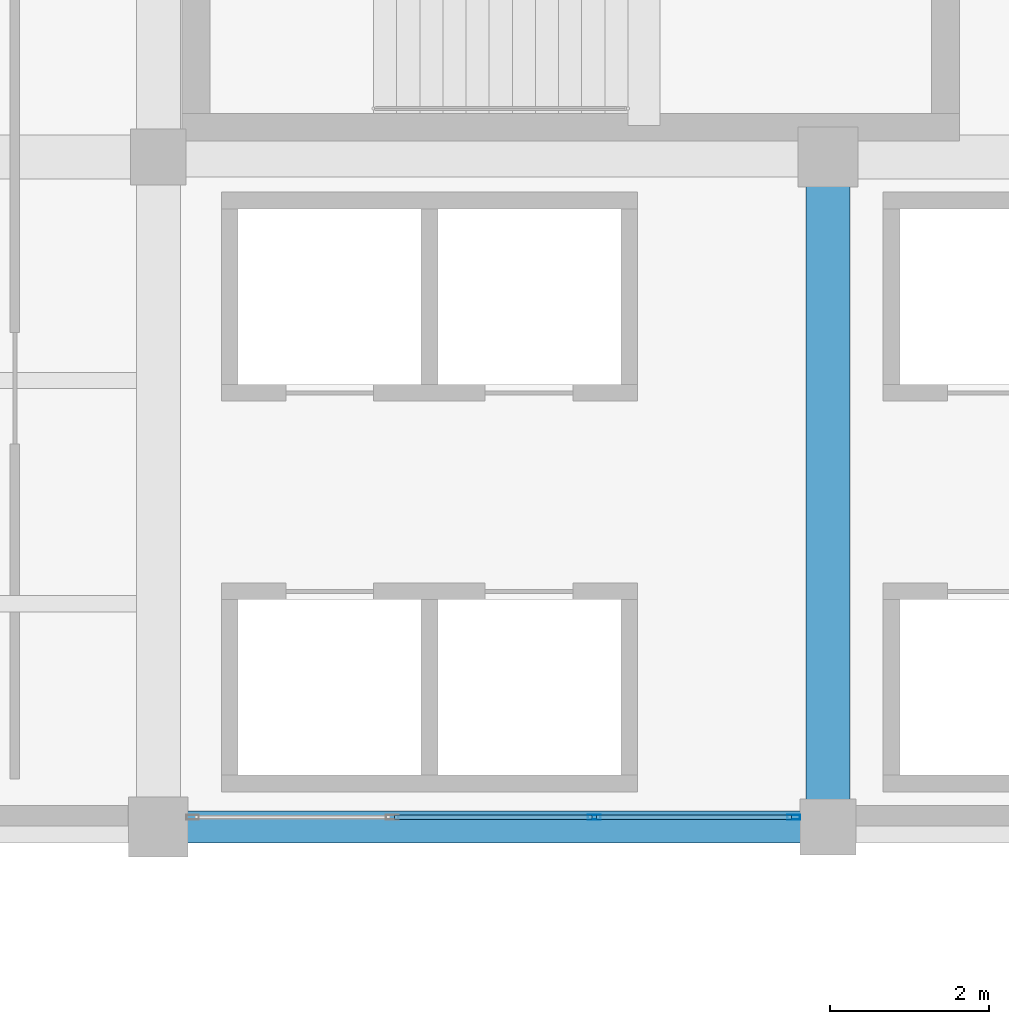
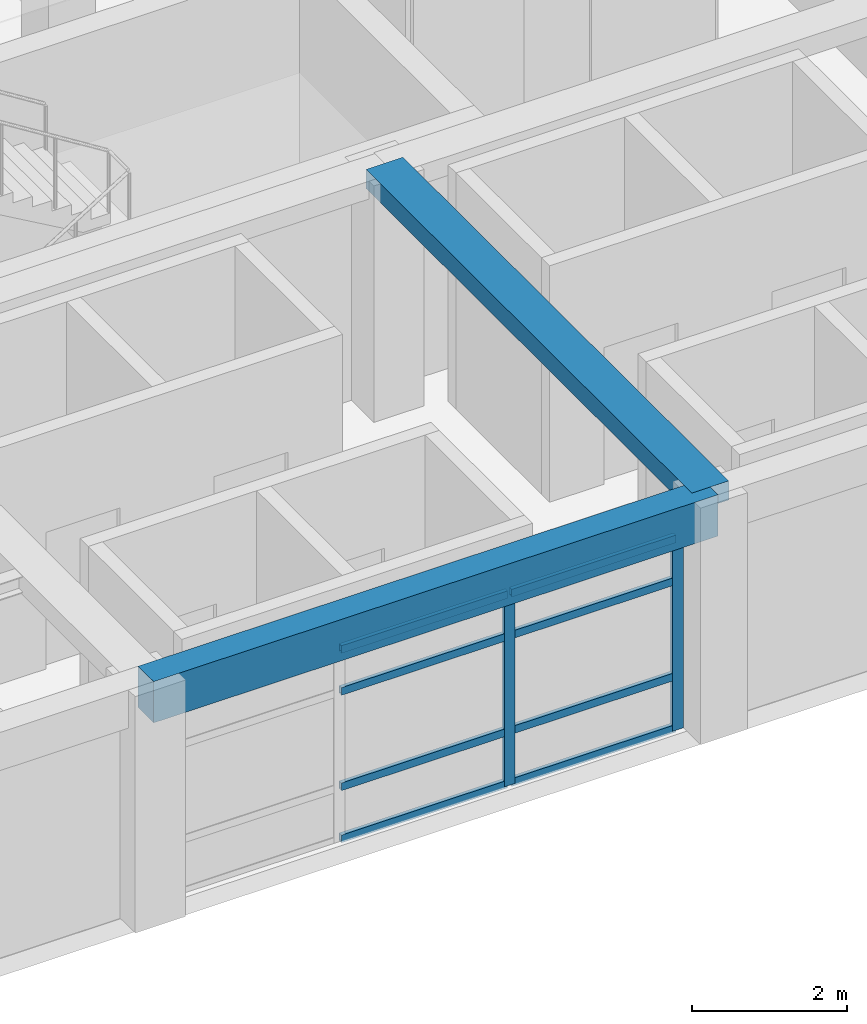
# One storey, part 8 of 35: 10 members, 2 beams, 1 element without a shape of its own.
"""IFC4 building model written with IfcOpenShell, lengths in metres."""

from ifc_helpers import new_model, si_unit, direction, frame, origin, origin_2d, place, context, subcontext, project, spatial, rectangle, hollow_rectangle, extrude, material, material_profile, profile_set, type_object, element, aggregate, save


model = new_model("IFC4")

# Units and contexts
model_context = context("Model", 3, precision=1e-05, world=origin(), true_north=direction((0.0, 1.0)))
body_context = subcontext(model_context, "Body", "Model", "MODEL_VIEW")
ifc_project = project(units=[si_unit("LENGTHUNIT", "METRE"), si_unit("AREAUNIT", "SQUARE_METRE"), si_unit("VOLUMEUNIT", "CUBIC_METRE"), si_unit("PLANEANGLEUNIT", "RADIAN"), si_unit("MASSUNIT", "GRAM", prefix="KILO")], contexts=[model_context])

# Site, building, storey
site_placement = place(None, origin())
site = spatial("IfcSite", under=ifc_project, at=site_placement, CompositionType="ELEMENT")
building_placement = place(site_placement, origin())
building = spatial("IfcBuilding", under=site, at=building_placement, Name="Almacenes y Pasaje Nevantli", CompositionType="ELEMENT")
storey_placement = place(building_placement, frame((0.0, 0.0, 26.699951171875)))
storey = spatial("IfcBuildingStorey", under=building, at=storey_placement, Name="L06", CompositionType="ELEMENT", Elevation=26.699951171875)

# Beams
ifc_material_1 = material(Name="Concrete C35/45", Category="concrete")
ifc_material_profile_1 = material_profile(ifc_material_1, rectangle(XDim=0.39990234375, YDim=0.64990234375, at=origin_2d()), Name="RC-BM-400x650")
ifc_profile_set_1 = profile_set([ifc_material_profile_1], Name="Concrete C35/45")
beam_type_1 = type_object("IfcBeamType", Name="BM-RC-400x650", PredefinedType="SPANDREL", material=ifc_profile_set_1)
beam_1_placement = place(storey_placement, frame((117.60009765625, 67.199951171875, 3.39501953125), z_axis=(1.0, 0.0, 0.0), x_axis=(0.0, 1.0, 0.0)))
element("IfcBeam", 1, at=beam_1_placement, inside=storey, type_object=beam_type_1, Name="L06 East-West Reinforced Concrete Beam #3574", PredefinedType="SPANDREL", context=body_context, shape_type="SweptSolid", body=[
    extrude(rectangle(XDim=0.39990234375, YDim=0.64990234375, at=origin_2d()), origin(), (0.0, 0.0, 1.0), 8.39990234375),
])
ifc_material_2 = material(Name="Concrete C35/45", Category="concrete")
ifc_material_profile_2 = material_profile(ifc_material_2, rectangle(XDim=0.550048828125, YDim=0.300048828125, at=origin_2d()), Name="RC-BM-550x300")
ifc_profile_set_2 = profile_set([ifc_material_profile_2], Name="Concrete C35/45")
beam_type_2 = type_object("IfcBeamType", Name="BM-RC-550x300", PredefinedType="BEAM", material=ifc_profile_set_2)
beam_2_placement = place(storey_placement, frame((126.0, 67.199951171875, 3.570068359375), z_axis=(0.0, 1.0, 0.0), x_axis=(-1.0, 0.0, 0.0)))
element("IfcBeam", 2, at=beam_2_placement, inside=storey, type_object=beam_type_2, Name="L06 North-South Reinforced Concrete Beam #3611", PredefinedType="BEAM", context=body_context, shape_type="SweptSolid", body=[
    extrude(rectangle(XDim=0.550048828125, YDim=0.300048828125, at=origin_2d()), origin(), (0.0, 0.0, 1.0), 8.400146484375),
])

# Curtain wall, members
ifc_material_3 = material(Name="Thermally Broken Aluminium and Low-E Glass", Category="aluminium")
curtain_wall_type = type_object("IfcCurtainWallType", Name="CW-UNIT-TOWER", PredefinedType="USERDEFINED", material=ifc_material_3)
curtain_wall_placement = place(storey_placement, origin())
curtain_wall = element("IfcCurtainWall", 3, at=curtain_wall_placement, inside=storey, type_object=curtain_wall_type, Name="L06 Tower South Unitized Curtain Wall Bay 15", ObjectType="UNITIZED CURTAIN WALL", PredefinedType="USERDEFINED")
ifc_material_4 = material(Name="Thermally Broken Anodized Aluminium", Category="aluminium")
ifc_material_profile_3 = material_profile(ifc_material_4, hollow_rectangle(XDim=0.06005859375, YDim=0.159912109375, WallThickness=0.00390625, at=origin_2d()), Name="ALU-MUL-60x160")
ifc_profile_set_3 = profile_set([ifc_material_profile_3], Name="Thermally Broken Anodized Aluminium")
member_type_1 = type_object("IfcMemberType", Name="CW-MUL-180", PredefinedType="MULLION", material=ifc_profile_set_3)
member_1_placement = place(storey_placement, frame((123.066650390625, 67.320068359375, 0.0), z_axis=(0.0, 0.0, 1.0), x_axis=(0.0, 1.0, 0.0)))
member_1 = element("IfcMember", 4, at=member_1_placement, type_object=member_type_1, Name="CW-L06-103 mullion 3", PredefinedType="MULLION", context=body_context, shape_type="SweptSolid", body=[
    extrude(hollow_rectangle(XDim=0.06005859375, YDim=0.159912109375, WallThickness=0.00390625, at=origin_2d()), origin(), (0.0, 0.0, 1.0), 3.0400390625),
])
member_2_placement = place(storey_placement, frame((125.570068359375, 67.320068359375, 0.0), z_axis=(0.0, 0.0, 1.0), x_axis=(0.0, 1.0, 0.0)))
member_2 = element("IfcMember", 5, at=member_2_placement, type_object=member_type_1, Name="CW-L06-103 mullion 4", PredefinedType="MULLION", context=body_context, shape_type="SweptSolid", body=[
    extrude(hollow_rectangle(XDim=0.06005859375, YDim=0.159912109375, WallThickness=0.00390625, at=origin_2d()), origin(), (0.0, 0.0, 1.0), 3.0400390625),
])
ifc_material_5 = material(Name="Thermally Broken Anodized Aluminium", Category="aluminium")
ifc_material_profile_4 = material_profile(ifc_material_5, hollow_rectangle(XDim=0.06005859375, YDim=0.1201171875, WallThickness=0.00341796875, at=origin_2d()), Name="ALU-TRN-60x120")
ifc_profile_set_4 = profile_set([ifc_material_profile_4], Name="Thermally Broken Anodized Aluminium")
member_type_2 = type_object("IfcMemberType", Name="CW-TRN-130", PredefinedType="USERDEFINED", material=ifc_profile_set_4)
member_3_placement = place(storey_placement, frame((120.563232421875, 67.320068359375, 0.030029296875), z_axis=(1.0, 0.0, 0.0), x_axis=(0.0, 1.0, 0.0)))
member_3 = element("IfcMember", 6, at=member_3_placement, type_object=member_type_2, Name="CW-L06-103 transom 2.1", ObjectType="TRANSOM", PredefinedType="USERDEFINED", context=body_context, shape_type="SweptSolid", body=[
    extrude(hollow_rectangle(XDim=0.06005859375, YDim=0.1201171875, WallThickness=0.00341796875, at=origin_2d()), origin(), (0.0, 0.0, 1.0), 2.473388671875),
])
member_4_placement = place(storey_placement, frame((120.563232421875, 67.320068359375, 0.85009765625), z_axis=(1.0, 0.0, 0.0), x_axis=(0.0, 1.0, 0.0)))
member_4 = element("IfcMember", 7, at=member_4_placement, type_object=member_type_2, Name="CW-L06-103 transom 2.2", ObjectType="TRANSOM", PredefinedType="USERDEFINED", context=body_context, shape_type="SweptSolid", body=[
    extrude(hollow_rectangle(XDim=0.06005859375, YDim=0.1201171875, WallThickness=0.00341796875, at=origin_2d()), origin(), (0.0, 0.0, 1.0), 2.473388671875),
])
member_5_placement = place(storey_placement, frame((120.563232421875, 67.320068359375, 2.35009765625), z_axis=(1.0, 0.0, 0.0), x_axis=(0.0, 1.0, 0.0)))
member_5 = element("IfcMember", 8, at=member_5_placement, type_object=member_type_2, Name="CW-L06-103 transom 2.3", ObjectType="TRANSOM", PredefinedType="USERDEFINED", context=body_context, shape_type="SweptSolid", body=[
    extrude(hollow_rectangle(XDim=0.06005859375, YDim=0.1201171875, WallThickness=0.00341796875, at=origin_2d()), origin(), (0.0, 0.0, 1.0), 2.473388671875),
])
member_6_placement = place(storey_placement, frame((120.563232421875, 67.320068359375, 3.010009765625), z_axis=(1.0, 0.0, 0.0), x_axis=(0.0, 1.0, 0.0)))
member_6 = element("IfcMember", 9, at=member_6_placement, type_object=member_type_2, Name="CW-L06-103 transom 2.4", ObjectType="TRANSOM", PredefinedType="USERDEFINED", context=body_context, shape_type="SweptSolid", body=[
    extrude(hollow_rectangle(XDim=0.06005859375, YDim=0.1201171875, WallThickness=0.00341796875, at=origin_2d()), origin(), (0.0, 0.0, 1.0), 2.473388671875),
])
member_7_placement = place(storey_placement, frame((123.0966796875, 67.320068359375, 0.030029296875), z_axis=(1.0, 0.0, 0.0), x_axis=(0.0, 1.0, 0.0)))
member_7 = element("IfcMember", 10, at=member_7_placement, type_object=member_type_2, Name="CW-L06-103 transom 3.1", ObjectType="TRANSOM", PredefinedType="USERDEFINED", context=body_context, shape_type="SweptSolid", body=[
    extrude(hollow_rectangle(XDim=0.06005859375, YDim=0.1201171875, WallThickness=0.00341796875, at=origin_2d()), origin(), (0.0, 0.0, 1.0), 2.443359375),
])
member_8_placement = place(storey_placement, frame((123.0966796875, 67.320068359375, 0.85009765625), z_axis=(1.0, 0.0, 0.0), x_axis=(0.0, 1.0, 0.0)))
member_8 = element("IfcMember", 11, at=member_8_placement, type_object=member_type_2, Name="CW-L06-103 transom 3.2", ObjectType="TRANSOM", PredefinedType="USERDEFINED", context=body_context, shape_type="SweptSolid", body=[
    extrude(hollow_rectangle(XDim=0.06005859375, YDim=0.1201171875, WallThickness=0.00341796875, at=origin_2d()), origin(), (0.0, 0.0, 1.0), 2.443359375),
])
member_9_placement = place(storey_placement, frame((123.0966796875, 67.320068359375, 2.35009765625), z_axis=(1.0, 0.0, 0.0), x_axis=(0.0, 1.0, 0.0)))
member_9 = element("IfcMember", 12, at=member_9_placement, type_object=member_type_2, Name="CW-L06-103 transom 3.3", ObjectType="TRANSOM", PredefinedType="USERDEFINED", context=body_context, shape_type="SweptSolid", body=[
    extrude(hollow_rectangle(XDim=0.06005859375, YDim=0.1201171875, WallThickness=0.00341796875, at=origin_2d()), origin(), (0.0, 0.0, 1.0), 2.443359375),
])
member_10_placement = place(storey_placement, frame((123.0966796875, 67.320068359375, 3.010009765625), z_axis=(1.0, 0.0, 0.0), x_axis=(0.0, 1.0, 0.0)))
member_10 = element("IfcMember", 13, at=member_10_placement, type_object=member_type_2, Name="CW-L06-103 transom 3.4", ObjectType="TRANSOM", PredefinedType="USERDEFINED", context=body_context, shape_type="SweptSolid", body=[
    extrude(hollow_rectangle(XDim=0.06005859375, YDim=0.1201171875, WallThickness=0.00341796875, at=origin_2d()), origin(), (0.0, 0.0, 1.0), 2.443359375),
])
aggregate(curtain_wall, [member_1, member_2, member_3, member_4, member_5, member_6, member_7, member_8, member_9, member_10])

save(model, "model.ifc")
